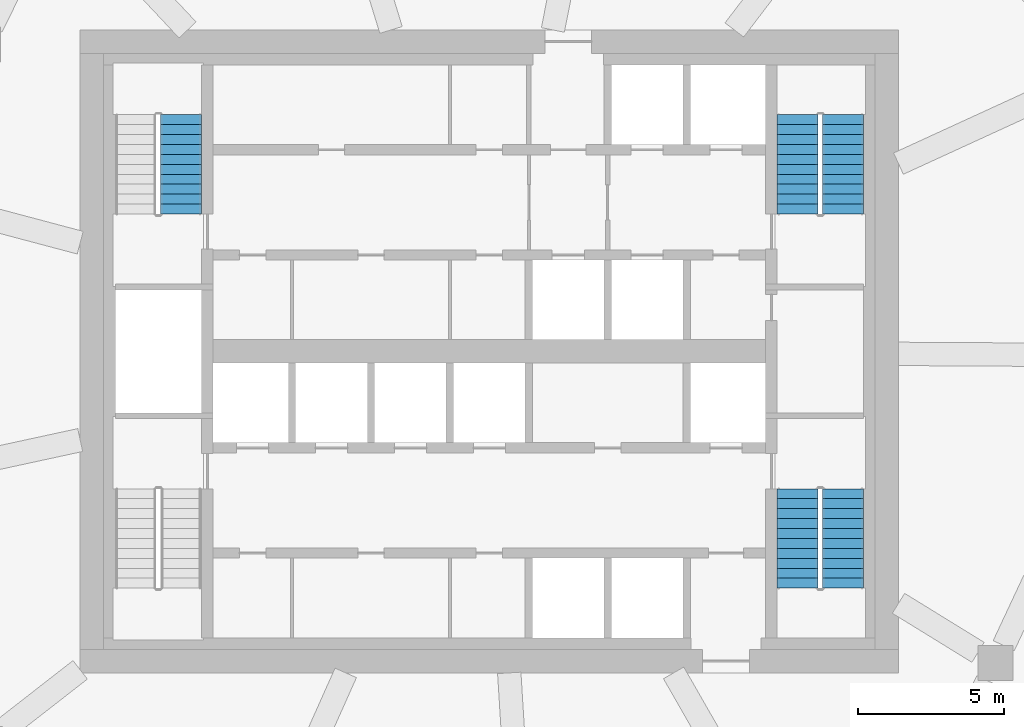
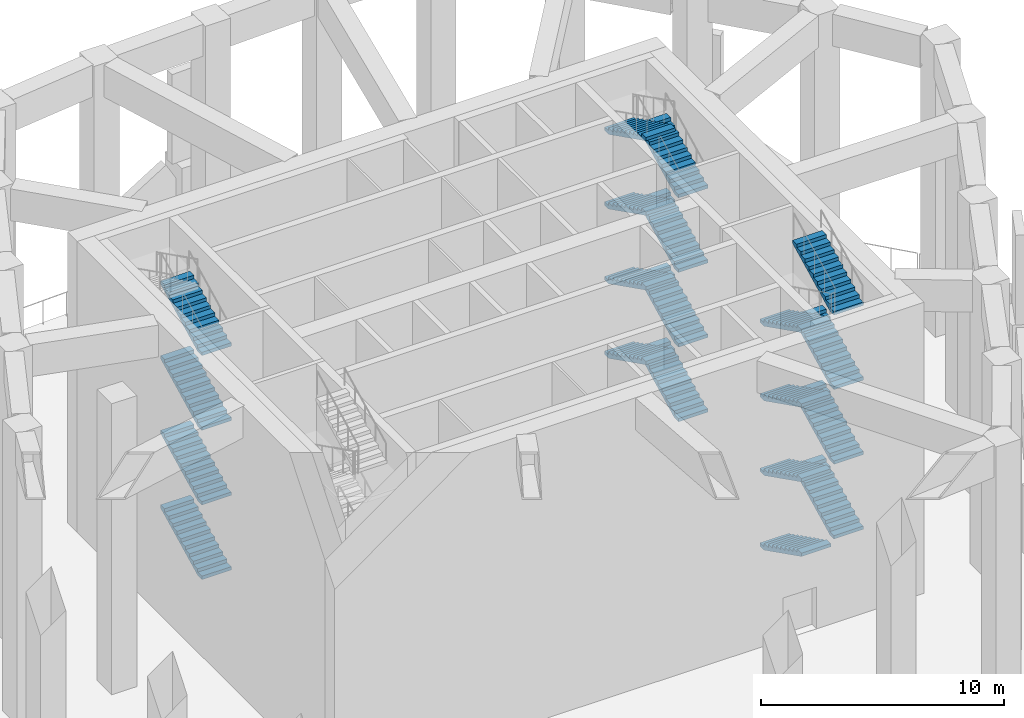
# One storey, part 5 of 12: 20 stair flights, 3 elements without a shape of their own.
"""IFC4 building model written with IfcOpenShell, lengths in metres."""

from ifc_helpers import new_model, si_unit, direction, frame, origin, place, context, subcontext, project, spatial, polyline, outline, extrude, material, layer, layer_set, type_object, element, aggregate, save


model = new_model("IFC4")

# Units and contexts
model_context = context("Model", 3, precision=1e-05, world=origin(), true_north=direction((0.0, 1.0)))
body_context = subcontext(model_context, "Body", "Model", "MODEL_VIEW")
ifc_project = project(units=[si_unit("LENGTHUNIT", "METRE"), si_unit("AREAUNIT", "SQUARE_METRE"), si_unit("VOLUMEUNIT", "CUBIC_METRE"), si_unit("PLANEANGLEUNIT", "RADIAN"), si_unit("MASSUNIT", "GRAM", prefix="KILO")], contexts=[model_context])

# Site, building, storey
site_placement = place(None, origin())
site = spatial("IfcSite", under=ifc_project, at=site_placement, CompositionType="ELEMENT")
building_placement = place(site_placement, origin())
building = spatial("IfcBuilding", under=site, at=building_placement, Name="Dongbaek Canopy Tower", CompositionType="ELEMENT")
storey_placement = place(building_placement, frame((0.0, 0.0, 183.800048828125)))
storey = spatial("IfcBuildingStorey", under=building, at=storey_placement, Name="L40", CompositionType="ELEMENT", Elevation=183.800048828125)

# Stair, stair flights
ifc_material_1 = material(Name="Concrete C40/50", Category="concrete")
stair_type = type_object("IfcStairType", Name="Core exit stair", PredefinedType="HALF_TURN_STAIR", material=ifc_material_1)
stair_1_placement = place(storey_placement, origin())
stair_1 = element("IfcStair", 1, at=stair_1_placement, inside=storey, type_object=stair_type, Name="L40 exit stair A", PredefinedType="HALF_TURN_STAIR")
ifc_material_2 = material(Name="Concrete C40/50", Category="concrete")
ifc_layer = layer(ifc_material_2, 0.14990234375)
ifc_layer_set = layer_set([ifc_layer], Name="Core stair flight 150 waist")
stair_flight_type = type_object("IfcStairFlightType", Name="Core stair flight 150 waist", PredefinedType="STRAIGHT", material=ifc_layer_set)
stair_flight_1_placement = place(storey_placement, frame((12.10009765625, 4.699951171875, 0.0), z_axis=(0.0, 0.0, 1.0), x_axis=(0.0, 1.0, 0.0)))
stair_flight_1 = element("IfcStairFlight", 2, at=stair_flight_1_placement, type_object=stair_flight_type, Name="ST-A flight 1", NumberOfRisers=11, NumberOfTreads=10, PredefinedType="STRAIGHT", RiserHeight=0.170454545, TreadLength=0.34, context=body_context, shape_type="SweptSolid", body=[
    extrude(outline(polyline([(0.0, 0.0), (0.0, 0.17041015625), (0.340087890625, 0.17041015625), (0.340087890625, 0.3408203125), (0.679931640625, 0.3408203125), (0.679931640625, 0.511474609375), (1.02001953125, 0.511474609375), (1.02001953125, 0.681884765625), (1.360107421875, 0.681884765625), (1.360107421875, 0.852294921875), (1.699951171875, 0.852294921875), (1.699951171875, 1.022705078125), (2.0400390625, 1.022705078125), (2.0400390625, 1.193115234375), (2.3798828125, 1.193115234375), (2.3798828125, 1.363525390625), (2.719970703125, 1.363525390625), (2.719970703125, 1.5341796875), (3.06005859375, 1.5341796875), (3.06005859375, 1.70458984375), (3.39990234375, 1.70458984375), (3.39990234375, 1.875), (3.39990234375, 1.536865234375), (0.33447265625, 0.0), (0.0, 0.0)])), frame((0.0, 0.699951171875, 0.0), z_axis=(0.0, -1.0, 0.0), x_axis=(1.0, 0.0, 0.0)), (0.0, 0.0, 1.0), 1.39990234375),
])
stair_flight_2_placement = place(storey_placement, frame((10.550048828125, 8.10009765625, 1.875), z_axis=(0.0, 0.0, 1.0), x_axis=(0.0, -1.0, 0.0)))
stair_flight_2 = element("IfcStairFlight", 3, at=stair_flight_2_placement, type_object=stair_flight_type, Name="ST-A flight 2", NumberOfRisers=11, NumberOfTreads=10, PredefinedType="STRAIGHT", RiserHeight=0.170454545, TreadLength=0.34, context=body_context, shape_type="SweptSolid", body=[
    extrude(outline(polyline([(0.0, 0.0), (0.0, 0.17041015625), (0.340087890625, 0.17041015625), (0.340087890625, 0.3408203125), (0.679931640625, 0.3408203125), (0.679931640625, 0.511474609375), (1.02001953125, 0.511474609375), (1.02001953125, 0.681884765625), (1.360107421875, 0.681884765625), (1.360107421875, 0.852294921875), (1.699951171875, 0.852294921875), (1.699951171875, 1.022705078125), (2.0400390625, 1.022705078125), (2.0400390625, 1.193115234375), (2.3798828125, 1.193115234375), (2.3798828125, 1.363525390625), (2.719970703125, 1.363525390625), (2.719970703125, 1.5341796875), (3.06005859375, 1.5341796875), (3.06005859375, 1.70458984375), (3.39990234375, 1.70458984375), (3.39990234375, 1.875), (3.39990234375, 1.536865234375), (0.33447265625, 0.0), (0.0, 0.0)])), frame((0.0, 0.699951171875, 0.0), z_axis=(0.0, -1.0, 0.0), x_axis=(1.0, 0.0, 0.0)), (0.0, 0.0, 1.0), 1.39990234375),
])
stair_flight_3_placement = place(storey_placement, frame((12.10009765625, 4.699951171875, 3.75), z_axis=(0.0, 0.0, 1.0), x_axis=(0.0, 1.0, 0.0)))
stair_flight_3 = element("IfcStairFlight", 4, at=stair_flight_3_placement, type_object=stair_flight_type, Name="ST-A flight 3", NumberOfRisers=11, NumberOfTreads=10, PredefinedType="STRAIGHT", RiserHeight=0.170454545, TreadLength=0.34, context=body_context, shape_type="SweptSolid", body=[
    extrude(outline(polyline([(0.0, 0.0), (0.0, 0.17041015625), (0.340087890625, 0.17041015625), (0.340087890625, 0.3408203125), (0.679931640625, 0.3408203125), (0.679931640625, 0.511474609375), (1.02001953125, 0.511474609375), (1.02001953125, 0.681884765625), (1.360107421875, 0.681884765625), (1.360107421875, 0.852294921875), (1.699951171875, 0.852294921875), (1.699951171875, 1.022705078125), (2.0400390625, 1.022705078125), (2.0400390625, 1.193115234375), (2.3798828125, 1.193115234375), (2.3798828125, 1.363525390625), (2.719970703125, 1.363525390625), (2.719970703125, 1.5341796875), (3.06005859375, 1.5341796875), (3.06005859375, 1.70458984375), (3.39990234375, 1.70458984375), (3.39990234375, 1.875), (3.39990234375, 1.536865234375), (0.33447265625, 0.0), (0.0, 0.0)])), frame((0.0, 0.699951171875, 0.0), z_axis=(0.0, -1.0, 0.0), x_axis=(1.0, 0.0, 0.0)), (0.0, 0.0, 1.0), 1.39990234375),
])
stair_flight_4_placement = place(storey_placement, frame((10.550048828125, 8.10009765625, 5.625), z_axis=(0.0, 0.0, 1.0), x_axis=(0.0, -1.0, 0.0)))
stair_flight_4 = element("IfcStairFlight", 5, at=stair_flight_4_placement, type_object=stair_flight_type, Name="ST-A flight 4", NumberOfRisers=11, NumberOfTreads=10, PredefinedType="STRAIGHT", RiserHeight=0.170454545, TreadLength=0.34, context=body_context, shape_type="SweptSolid", body=[
    extrude(outline(polyline([(0.0, 0.0), (0.0, 0.17041015625), (0.340087890625, 0.17041015625), (0.340087890625, 0.3408203125), (0.679931640625, 0.3408203125), (0.679931640625, 0.511474609375), (1.02001953125, 0.511474609375), (1.02001953125, 0.681884765625), (1.360107421875, 0.681884765625), (1.360107421875, 0.852294921875), (1.699951171875, 0.852294921875), (1.699951171875, 1.022705078125), (2.0400390625, 1.022705078125), (2.0400390625, 1.193115234375), (2.3798828125, 1.193115234375), (2.3798828125, 1.363525390625), (2.719970703125, 1.363525390625), (2.719970703125, 1.5341796875), (3.06005859375, 1.5341796875), (3.06005859375, 1.70458984375), (3.39990234375, 1.70458984375), (3.39990234375, 1.875), (3.39990234375, 1.536865234375), (0.33447265625, 0.0), (0.0, 0.0)])), frame((0.0, 0.699951171875, 0.0), z_axis=(0.0, -1.0, 0.0), x_axis=(1.0, 0.0, 0.0)), (0.0, 0.0, 1.0), 1.39990234375),
])
stair_flight_5_placement = place(storey_placement, frame((12.10009765625, 4.699951171875, 7.5), z_axis=(0.0, 0.0, 1.0), x_axis=(0.0, 1.0, 0.0)))
stair_flight_5 = element("IfcStairFlight", 6, at=stair_flight_5_placement, type_object=stair_flight_type, Name="ST-A flight 5", NumberOfRisers=11, NumberOfTreads=10, PredefinedType="STRAIGHT", RiserHeight=0.170454545, TreadLength=0.34, context=body_context, shape_type="SweptSolid", body=[
    extrude(outline(polyline([(0.0, 0.0), (0.0, 0.17041015625), (0.340087890625, 0.17041015625), (0.340087890625, 0.3408203125), (0.679931640625, 0.3408203125), (0.679931640625, 0.511474609375), (1.02001953125, 0.511474609375), (1.02001953125, 0.681884765625), (1.360107421875, 0.681884765625), (1.360107421875, 0.852294921875), (1.699951171875, 0.852294921875), (1.699951171875, 1.022705078125), (2.0400390625, 1.022705078125), (2.0400390625, 1.193115234375), (2.3798828125, 1.193115234375), (2.3798828125, 1.363525390625), (2.719970703125, 1.363525390625), (2.719970703125, 1.5341796875), (3.06005859375, 1.5341796875), (3.06005859375, 1.70458984375), (3.39990234375, 1.70458984375), (3.39990234375, 1.875), (3.39990234375, 1.536865234375), (0.33447265625, 0.0), (0.0, 0.0)])), frame((0.0, 0.699951171875, 0.0), z_axis=(0.0, -1.0, 0.0), x_axis=(1.0, 0.0, 0.0)), (0.0, 0.0, 1.0), 1.39990234375),
])
stair_flight_6_placement = place(storey_placement, frame((10.550048828125, 8.10009765625, 9.375), z_axis=(0.0, 0.0, 1.0), x_axis=(0.0, -1.0, 0.0)))
stair_flight_6 = element("IfcStairFlight", 7, at=stair_flight_6_placement, type_object=stair_flight_type, Name="ST-A flight 6", NumberOfRisers=11, NumberOfTreads=10, PredefinedType="STRAIGHT", RiserHeight=0.170454545, TreadLength=0.34, context=body_context, shape_type="SweptSolid", body=[
    extrude(outline(polyline([(0.0, 0.0), (0.0, 0.17041015625), (0.340087890625, 0.17041015625), (0.340087890625, 0.3408203125), (0.679931640625, 0.3408203125), (0.679931640625, 0.511474609375), (1.02001953125, 0.511474609375), (1.02001953125, 0.681884765625), (1.360107421875, 0.681884765625), (1.360107421875, 0.852294921875), (1.699951171875, 0.852294921875), (1.699951171875, 1.022705078125), (2.0400390625, 1.022705078125), (2.0400390625, 1.193115234375), (2.3798828125, 1.193115234375), (2.3798828125, 1.363525390625), (2.719970703125, 1.363525390625), (2.719970703125, 1.5341796875), (3.06005859375, 1.5341796875), (3.06005859375, 1.70458984375), (3.39990234375, 1.70458984375), (3.39990234375, 1.875), (3.39990234375, 1.536865234375), (0.33447265625, 0.0), (0.0, 0.0)])), frame((0.0, 0.699951171875, 0.0), z_axis=(0.0, -1.0, 0.0), x_axis=(1.0, 0.0, 0.0)), (0.0, 0.0, 1.0), 1.39990234375),
])
stair_flight_7_placement = place(storey_placement, frame((12.10009765625, 4.699951171875, 11.25), z_axis=(0.0, 0.0, 1.0), x_axis=(0.0, 1.0, 0.0)))
stair_flight_7 = element("IfcStairFlight", 8, at=stair_flight_7_placement, type_object=stair_flight_type, Name="ST-A flight 7", NumberOfRisers=11, NumberOfTreads=10, PredefinedType="STRAIGHT", RiserHeight=0.170454545, TreadLength=0.34, context=body_context, shape_type="SweptSolid", body=[
    extrude(outline(polyline([(0.0, 0.0), (0.0, 0.17041015625), (0.340087890625, 0.17041015625), (0.340087890625, 0.3408203125), (0.679931640625, 0.3408203125), (0.679931640625, 0.511474609375), (1.02001953125, 0.511474609375), (1.02001953125, 0.681884765625), (1.360107421875, 0.681884765625), (1.360107421875, 0.852294921875), (1.699951171875, 0.852294921875), (1.699951171875, 1.022705078125), (2.0400390625, 1.022705078125), (2.0400390625, 1.193115234375), (2.3798828125, 1.193115234375), (2.3798828125, 1.363525390625), (2.719970703125, 1.363525390625), (2.719970703125, 1.5341796875), (3.06005859375, 1.5341796875), (3.06005859375, 1.70458984375), (3.39990234375, 1.70458984375), (3.39990234375, 1.875), (3.39990234375, 1.536865234375), (0.33447265625, 0.0), (0.0, 0.0)])), frame((0.0, 0.699951171875, 0.0), z_axis=(0.0, -1.0, 0.0), x_axis=(1.0, 0.0, 0.0)), (0.0, 0.0, 1.0), 1.39990234375),
])
stair_flight_8_placement = place(storey_placement, frame((10.550048828125, 8.10009765625, 13.125), z_axis=(0.0, 0.0, 1.0), x_axis=(0.0, -1.0, 0.0)))
stair_flight_8 = element("IfcStairFlight", 9, at=stair_flight_8_placement, type_object=stair_flight_type, Name="ST-A flight 8", NumberOfRisers=11, NumberOfTreads=10, PredefinedType="STRAIGHT", RiserHeight=0.170454545, TreadLength=0.34, context=body_context, shape_type="SweptSolid", body=[
    extrude(outline(polyline([(0.0, 0.0), (0.0, 0.17041015625), (0.340087890625, 0.17041015625), (0.340087890625, 0.3408203125), (0.679931640625, 0.3408203125), (0.679931640625, 0.511474609375), (1.02001953125, 0.511474609375), (1.02001953125, 0.681884765625), (1.360107421875, 0.681884765625), (1.360107421875, 0.852294921875), (1.699951171875, 0.852294921875), (1.699951171875, 1.022705078125), (2.0400390625, 1.022705078125), (2.0400390625, 1.193115234375), (2.3798828125, 1.193115234375), (2.3798828125, 1.363525390625), (2.719970703125, 1.363525390625), (2.719970703125, 1.5341796875), (3.06005859375, 1.5341796875), (3.06005859375, 1.70458984375), (3.39990234375, 1.70458984375), (3.39990234375, 1.875), (3.39990234375, 1.536865234375), (0.33447265625, 0.0), (0.0, 0.0)])), frame((0.0, 0.699951171875, 0.0), z_axis=(0.0, -1.0, 0.0), x_axis=(1.0, 0.0, 0.0)), (0.0, 0.0, 1.0), 1.39990234375),
])
aggregate(stair_1, [stair_flight_1, stair_flight_2, stair_flight_3, stair_flight_4, stair_flight_5, stair_flight_6, stair_flight_7, stair_flight_8])

stair_2_placement = place(storey_placement, origin())
stair_2 = element("IfcStair", 10, at=stair_2_placement, inside=storey, type_object=stair_type, Name="L40 exit stair C", PredefinedType="HALF_TURN_STAIR")
stair_flight_9_placement = place(storey_placement, frame((-10.550048828125, 4.699951171875, 0.0), z_axis=(0.0, 0.0, 1.0), x_axis=(0.0, 1.0, 0.0)))
stair_flight_9 = element("IfcStairFlight", 11, at=stair_flight_9_placement, type_object=stair_flight_type, Name="ST-C flight 1", NumberOfRisers=11, NumberOfTreads=10, PredefinedType="STRAIGHT", RiserHeight=0.170454545, TreadLength=0.34, context=body_context, shape_type="SweptSolid", body=[
    extrude(outline(polyline([(0.0, 0.0), (0.0, 0.17041015625), (0.340087890625, 0.17041015625), (0.340087890625, 0.3408203125), (0.679931640625, 0.3408203125), (0.679931640625, 0.511474609375), (1.02001953125, 0.511474609375), (1.02001953125, 0.681884765625), (1.360107421875, 0.681884765625), (1.360107421875, 0.852294921875), (1.699951171875, 0.852294921875), (1.699951171875, 1.022705078125), (2.0400390625, 1.022705078125), (2.0400390625, 1.193115234375), (2.3798828125, 1.193115234375), (2.3798828125, 1.363525390625), (2.719970703125, 1.363525390625), (2.719970703125, 1.5341796875), (3.06005859375, 1.5341796875), (3.06005859375, 1.70458984375), (3.39990234375, 1.70458984375), (3.39990234375, 1.875), (3.39990234375, 1.536865234375), (0.33447265625, 0.0), (0.0, 0.0)])), frame((0.0, 0.699951171875, 0.0), z_axis=(0.0, -1.0, 0.0), x_axis=(1.0, 0.0, 0.0)), (0.0, 0.0, 1.0), 1.39990234375),
])
stair_flight_10_placement = place(storey_placement, frame((-10.550048828125, 4.699951171875, 3.75), z_axis=(0.0, 0.0, 1.0), x_axis=(0.0, 1.0, 0.0)))
stair_flight_10 = element("IfcStairFlight", 12, at=stair_flight_10_placement, type_object=stair_flight_type, Name="ST-C flight 3", NumberOfRisers=11, NumberOfTreads=10, PredefinedType="STRAIGHT", RiserHeight=0.170454545, TreadLength=0.34, context=body_context, shape_type="SweptSolid", body=[
    extrude(outline(polyline([(0.0, 0.0), (0.0, 0.17041015625), (0.340087890625, 0.17041015625), (0.340087890625, 0.3408203125), (0.679931640625, 0.3408203125), (0.679931640625, 0.511474609375), (1.02001953125, 0.511474609375), (1.02001953125, 0.681884765625), (1.360107421875, 0.681884765625), (1.360107421875, 0.852294921875), (1.699951171875, 0.852294921875), (1.699951171875, 1.022705078125), (2.0400390625, 1.022705078125), (2.0400390625, 1.193115234375), (2.3798828125, 1.193115234375), (2.3798828125, 1.363525390625), (2.719970703125, 1.363525390625), (2.719970703125, 1.5341796875), (3.06005859375, 1.5341796875), (3.06005859375, 1.70458984375), (3.39990234375, 1.70458984375), (3.39990234375, 1.875), (3.39990234375, 1.536865234375), (0.33447265625, 0.0), (0.0, 0.0)])), frame((0.0, 0.699951171875, 0.0), z_axis=(0.0, -1.0, 0.0), x_axis=(1.0, 0.0, 0.0)), (0.0, 0.0, 1.0), 1.39990234375),
])
stair_flight_11_placement = place(storey_placement, frame((-10.550048828125, 4.699951171875, 7.5), z_axis=(0.0, 0.0, 1.0), x_axis=(0.0, 1.0, 0.0)))
stair_flight_11 = element("IfcStairFlight", 13, at=stair_flight_11_placement, type_object=stair_flight_type, Name="ST-C flight 5", NumberOfRisers=11, NumberOfTreads=10, PredefinedType="STRAIGHT", RiserHeight=0.170454545, TreadLength=0.34, context=body_context, shape_type="SweptSolid", body=[
    extrude(outline(polyline([(0.0, 0.0), (0.0, 0.17041015625), (0.340087890625, 0.17041015625), (0.340087890625, 0.3408203125), (0.679931640625, 0.3408203125), (0.679931640625, 0.511474609375), (1.02001953125, 0.511474609375), (1.02001953125, 0.681884765625), (1.360107421875, 0.681884765625), (1.360107421875, 0.852294921875), (1.699951171875, 0.852294921875), (1.699951171875, 1.022705078125), (2.0400390625, 1.022705078125), (2.0400390625, 1.193115234375), (2.3798828125, 1.193115234375), (2.3798828125, 1.363525390625), (2.719970703125, 1.363525390625), (2.719970703125, 1.5341796875), (3.06005859375, 1.5341796875), (3.06005859375, 1.70458984375), (3.39990234375, 1.70458984375), (3.39990234375, 1.875), (3.39990234375, 1.536865234375), (0.33447265625, 0.0), (0.0, 0.0)])), frame((0.0, 0.699951171875, 0.0), z_axis=(0.0, -1.0, 0.0), x_axis=(1.0, 0.0, 0.0)), (0.0, 0.0, 1.0), 1.39990234375),
])
stair_flight_12_placement = place(storey_placement, frame((-10.550048828125, 4.699951171875, 11.25), z_axis=(0.0, 0.0, 1.0), x_axis=(0.0, 1.0, 0.0)))
stair_flight_12 = element("IfcStairFlight", 14, at=stair_flight_12_placement, type_object=stair_flight_type, Name="ST-C flight 7", NumberOfRisers=11, NumberOfTreads=10, PredefinedType="STRAIGHT", RiserHeight=0.170454545, TreadLength=0.34, context=body_context, shape_type="SweptSolid", body=[
    extrude(outline(polyline([(0.0, 0.0), (0.0, 0.17041015625), (0.340087890625, 0.17041015625), (0.340087890625, 0.3408203125), (0.679931640625, 0.3408203125), (0.679931640625, 0.511474609375), (1.02001953125, 0.511474609375), (1.02001953125, 0.681884765625), (1.360107421875, 0.681884765625), (1.360107421875, 0.852294921875), (1.699951171875, 0.852294921875), (1.699951171875, 1.022705078125), (2.0400390625, 1.022705078125), (2.0400390625, 1.193115234375), (2.3798828125, 1.193115234375), (2.3798828125, 1.363525390625), (2.719970703125, 1.363525390625), (2.719970703125, 1.5341796875), (3.06005859375, 1.5341796875), (3.06005859375, 1.70458984375), (3.39990234375, 1.70458984375), (3.39990234375, 1.875), (3.39990234375, 1.536865234375), (0.33447265625, 0.0), (0.0, 0.0)])), frame((0.0, 0.699951171875, 0.0), z_axis=(0.0, -1.0, 0.0), x_axis=(1.0, 0.0, 0.0)), (0.0, 0.0, 1.0), 1.39990234375),
])
aggregate(stair_2, [stair_flight_9, stair_flight_10, stair_flight_11, stair_flight_12])

stair_3_placement = place(storey_placement, origin())
stair_3 = element("IfcStair", 15, at=stair_3_placement, inside=storey, type_object=stair_type, Name="L40 exit stair B", PredefinedType="HALF_TURN_STAIR")
stair_flight_13_placement = place(storey_placement, frame((10.550048828125, -4.699951171875, 0.0), z_axis=(0.0, 0.0, 1.0), x_axis=(0.0, -1.0, 0.0)))
stair_flight_13 = element("IfcStairFlight", 16, at=stair_flight_13_placement, type_object=stair_flight_type, Name="ST-B flight 1", NumberOfRisers=11, NumberOfTreads=10, PredefinedType="STRAIGHT", RiserHeight=0.170454545, TreadLength=0.34, context=body_context, shape_type="SweptSolid", body=[
    extrude(outline(polyline([(0.0, 0.0), (0.0, 0.17041015625), (0.340087890625, 0.17041015625), (0.340087890625, 0.3408203125), (0.679931640625, 0.3408203125), (0.679931640625, 0.511474609375), (1.02001953125, 0.511474609375), (1.02001953125, 0.681884765625), (1.360107421875, 0.681884765625), (1.360107421875, 0.852294921875), (1.699951171875, 0.852294921875), (1.699951171875, 1.022705078125), (2.0400390625, 1.022705078125), (2.0400390625, 1.193115234375), (2.3798828125, 1.193115234375), (2.3798828125, 1.363525390625), (2.719970703125, 1.363525390625), (2.719970703125, 1.5341796875), (3.06005859375, 1.5341796875), (3.06005859375, 1.70458984375), (3.39990234375, 1.70458984375), (3.39990234375, 1.875), (3.39990234375, 1.536865234375), (0.33447265625, 0.0), (0.0, 0.0)])), frame((0.0, 0.699951171875, 0.0), z_axis=(0.0, -1.0, 0.0), x_axis=(1.0, 0.0, 0.0)), (0.0, 0.0, 1.0), 1.39990234375),
])
stair_flight_14_placement = place(storey_placement, frame((12.10009765625, -8.10009765625, 1.875), z_axis=(0.0, 0.0, 1.0), x_axis=(0.0, 1.0, 0.0)))
stair_flight_14 = element("IfcStairFlight", 17, at=stair_flight_14_placement, type_object=stair_flight_type, Name="ST-B flight 2", NumberOfRisers=11, NumberOfTreads=10, PredefinedType="STRAIGHT", RiserHeight=0.170454545, TreadLength=0.34, context=body_context, shape_type="SweptSolid", body=[
    extrude(outline(polyline([(0.0, 0.0), (0.0, 0.17041015625), (0.340087890625, 0.17041015625), (0.340087890625, 0.3408203125), (0.679931640625, 0.3408203125), (0.679931640625, 0.511474609375), (1.02001953125, 0.511474609375), (1.02001953125, 0.681884765625), (1.360107421875, 0.681884765625), (1.360107421875, 0.852294921875), (1.699951171875, 0.852294921875), (1.699951171875, 1.022705078125), (2.0400390625, 1.022705078125), (2.0400390625, 1.193115234375), (2.3798828125, 1.193115234375), (2.3798828125, 1.363525390625), (2.719970703125, 1.363525390625), (2.719970703125, 1.5341796875), (3.06005859375, 1.5341796875), (3.06005859375, 1.70458984375), (3.39990234375, 1.70458984375), (3.39990234375, 1.875), (3.39990234375, 1.536865234375), (0.33447265625, 0.0), (0.0, 0.0)])), frame((0.0, 0.699951171875, 0.0), z_axis=(0.0, -1.0, 0.0), x_axis=(1.0, 0.0, 0.0)), (0.0, 0.0, 1.0), 1.39990234375),
])
stair_flight_15_placement = place(storey_placement, frame((10.550048828125, -4.699951171875, 3.75), z_axis=(0.0, 0.0, 1.0), x_axis=(0.0, -1.0, 0.0)))
stair_flight_15 = element("IfcStairFlight", 18, at=stair_flight_15_placement, type_object=stair_flight_type, Name="ST-B flight 3", NumberOfRisers=11, NumberOfTreads=10, PredefinedType="STRAIGHT", RiserHeight=0.170454545, TreadLength=0.34, context=body_context, shape_type="SweptSolid", body=[
    extrude(outline(polyline([(0.0, 0.0), (0.0, 0.17041015625), (0.340087890625, 0.17041015625), (0.340087890625, 0.3408203125), (0.679931640625, 0.3408203125), (0.679931640625, 0.511474609375), (1.02001953125, 0.511474609375), (1.02001953125, 0.681884765625), (1.360107421875, 0.681884765625), (1.360107421875, 0.852294921875), (1.699951171875, 0.852294921875), (1.699951171875, 1.022705078125), (2.0400390625, 1.022705078125), (2.0400390625, 1.193115234375), (2.3798828125, 1.193115234375), (2.3798828125, 1.363525390625), (2.719970703125, 1.363525390625), (2.719970703125, 1.5341796875), (3.06005859375, 1.5341796875), (3.06005859375, 1.70458984375), (3.39990234375, 1.70458984375), (3.39990234375, 1.875), (3.39990234375, 1.536865234375), (0.33447265625, 0.0), (0.0, 0.0)])), frame((0.0, 0.699951171875, 0.0), z_axis=(0.0, -1.0, 0.0), x_axis=(1.0, 0.0, 0.0)), (0.0, 0.0, 1.0), 1.39990234375),
])
stair_flight_16_placement = place(storey_placement, frame((12.10009765625, -8.10009765625, 5.625), z_axis=(0.0, 0.0, 1.0), x_axis=(0.0, 1.0, 0.0)))
stair_flight_16 = element("IfcStairFlight", 19, at=stair_flight_16_placement, type_object=stair_flight_type, Name="ST-B flight 4", NumberOfRisers=11, NumberOfTreads=10, PredefinedType="STRAIGHT", RiserHeight=0.170454545, TreadLength=0.34, context=body_context, shape_type="SweptSolid", body=[
    extrude(outline(polyline([(0.0, 0.0), (0.0, 0.17041015625), (0.340087890625, 0.17041015625), (0.340087890625, 0.3408203125), (0.679931640625, 0.3408203125), (0.679931640625, 0.511474609375), (1.02001953125, 0.511474609375), (1.02001953125, 0.681884765625), (1.360107421875, 0.681884765625), (1.360107421875, 0.852294921875), (1.699951171875, 0.852294921875), (1.699951171875, 1.022705078125), (2.0400390625, 1.022705078125), (2.0400390625, 1.193115234375), (2.3798828125, 1.193115234375), (2.3798828125, 1.363525390625), (2.719970703125, 1.363525390625), (2.719970703125, 1.5341796875), (3.06005859375, 1.5341796875), (3.06005859375, 1.70458984375), (3.39990234375, 1.70458984375), (3.39990234375, 1.875), (3.39990234375, 1.536865234375), (0.33447265625, 0.0), (0.0, 0.0)])), frame((0.0, 0.699951171875, 0.0), z_axis=(0.0, -1.0, 0.0), x_axis=(1.0, 0.0, 0.0)), (0.0, 0.0, 1.0), 1.39990234375),
])
stair_flight_17_placement = place(storey_placement, frame((10.550048828125, -4.699951171875, 7.5), z_axis=(0.0, 0.0, 1.0), x_axis=(0.0, -1.0, 0.0)))
stair_flight_17 = element("IfcStairFlight", 20, at=stair_flight_17_placement, type_object=stair_flight_type, Name="ST-B flight 5", NumberOfRisers=11, NumberOfTreads=10, PredefinedType="STRAIGHT", RiserHeight=0.170454545, TreadLength=0.34, context=body_context, shape_type="SweptSolid", body=[
    extrude(outline(polyline([(0.0, 0.0), (0.0, 0.17041015625), (0.340087890625, 0.17041015625), (0.340087890625, 0.3408203125), (0.679931640625, 0.3408203125), (0.679931640625, 0.511474609375), (1.02001953125, 0.511474609375), (1.02001953125, 0.681884765625), (1.360107421875, 0.681884765625), (1.360107421875, 0.852294921875), (1.699951171875, 0.852294921875), (1.699951171875, 1.022705078125), (2.0400390625, 1.022705078125), (2.0400390625, 1.193115234375), (2.3798828125, 1.193115234375), (2.3798828125, 1.363525390625), (2.719970703125, 1.363525390625), (2.719970703125, 1.5341796875), (3.06005859375, 1.5341796875), (3.06005859375, 1.70458984375), (3.39990234375, 1.70458984375), (3.39990234375, 1.875), (3.39990234375, 1.536865234375), (0.33447265625, 0.0), (0.0, 0.0)])), frame((0.0, 0.699951171875, 0.0), z_axis=(0.0, -1.0, 0.0), x_axis=(1.0, 0.0, 0.0)), (0.0, 0.0, 1.0), 1.39990234375),
])
stair_flight_18_placement = place(storey_placement, frame((12.10009765625, -8.10009765625, 9.375), z_axis=(0.0, 0.0, 1.0), x_axis=(0.0, 1.0, 0.0)))
stair_flight_18 = element("IfcStairFlight", 21, at=stair_flight_18_placement, type_object=stair_flight_type, Name="ST-B flight 6", NumberOfRisers=11, NumberOfTreads=10, PredefinedType="STRAIGHT", RiserHeight=0.170454545, TreadLength=0.34, context=body_context, shape_type="SweptSolid", body=[
    extrude(outline(polyline([(0.0, 0.0), (0.0, 0.17041015625), (0.340087890625, 0.17041015625), (0.340087890625, 0.3408203125), (0.679931640625, 0.3408203125), (0.679931640625, 0.511474609375), (1.02001953125, 0.511474609375), (1.02001953125, 0.681884765625), (1.360107421875, 0.681884765625), (1.360107421875, 0.852294921875), (1.699951171875, 0.852294921875), (1.699951171875, 1.022705078125), (2.0400390625, 1.022705078125), (2.0400390625, 1.193115234375), (2.3798828125, 1.193115234375), (2.3798828125, 1.363525390625), (2.719970703125, 1.363525390625), (2.719970703125, 1.5341796875), (3.06005859375, 1.5341796875), (3.06005859375, 1.70458984375), (3.39990234375, 1.70458984375), (3.39990234375, 1.875), (3.39990234375, 1.536865234375), (0.33447265625, 0.0), (0.0, 0.0)])), frame((0.0, 0.699951171875, 0.0), z_axis=(0.0, -1.0, 0.0), x_axis=(1.0, 0.0, 0.0)), (0.0, 0.0, 1.0), 1.39990234375),
])
stair_flight_19_placement = place(storey_placement, frame((10.550048828125, -4.699951171875, 11.25), z_axis=(0.0, 0.0, 1.0), x_axis=(0.0, -1.0, 0.0)))
stair_flight_19 = element("IfcStairFlight", 22, at=stair_flight_19_placement, type_object=stair_flight_type, Name="ST-B flight 7", NumberOfRisers=11, NumberOfTreads=10, PredefinedType="STRAIGHT", RiserHeight=0.170454545, TreadLength=0.34, context=body_context, shape_type="SweptSolid", body=[
    extrude(outline(polyline([(0.0, 0.0), (0.0, 0.17041015625), (0.340087890625, 0.17041015625), (0.340087890625, 0.3408203125), (0.679931640625, 0.3408203125), (0.679931640625, 0.511474609375), (1.02001953125, 0.511474609375), (1.02001953125, 0.681884765625), (1.360107421875, 0.681884765625), (1.360107421875, 0.852294921875), (1.699951171875, 0.852294921875), (1.699951171875, 1.022705078125), (2.0400390625, 1.022705078125), (2.0400390625, 1.193115234375), (2.3798828125, 1.193115234375), (2.3798828125, 1.363525390625), (2.719970703125, 1.363525390625), (2.719970703125, 1.5341796875), (3.06005859375, 1.5341796875), (3.06005859375, 1.70458984375), (3.39990234375, 1.70458984375), (3.39990234375, 1.875), (3.39990234375, 1.536865234375), (0.33447265625, 0.0), (0.0, 0.0)])), frame((0.0, 0.699951171875, 0.0), z_axis=(0.0, -1.0, 0.0), x_axis=(1.0, 0.0, 0.0)), (0.0, 0.0, 1.0), 1.39990234375),
])
stair_flight_20_placement = place(storey_placement, frame((12.10009765625, -8.10009765625, 13.125), z_axis=(0.0, 0.0, 1.0), x_axis=(0.0, 1.0, 0.0)))
stair_flight_20 = element("IfcStairFlight", 23, at=stair_flight_20_placement, type_object=stair_flight_type, Name="ST-B flight 8", NumberOfRisers=11, NumberOfTreads=10, PredefinedType="STRAIGHT", RiserHeight=0.170454545, TreadLength=0.34, context=body_context, shape_type="SweptSolid", body=[
    extrude(outline(polyline([(0.0, 0.0), (0.0, 0.17041015625), (0.340087890625, 0.17041015625), (0.340087890625, 0.3408203125), (0.679931640625, 0.3408203125), (0.679931640625, 0.511474609375), (1.02001953125, 0.511474609375), (1.02001953125, 0.681884765625), (1.360107421875, 0.681884765625), (1.360107421875, 0.852294921875), (1.699951171875, 0.852294921875), (1.699951171875, 1.022705078125), (2.0400390625, 1.022705078125), (2.0400390625, 1.193115234375), (2.3798828125, 1.193115234375), (2.3798828125, 1.363525390625), (2.719970703125, 1.363525390625), (2.719970703125, 1.5341796875), (3.06005859375, 1.5341796875), (3.06005859375, 1.70458984375), (3.39990234375, 1.70458984375), (3.39990234375, 1.875), (3.39990234375, 1.536865234375), (0.33447265625, 0.0), (0.0, 0.0)])), frame((0.0, 0.699951171875, 0.0), z_axis=(0.0, -1.0, 0.0), x_axis=(1.0, 0.0, 0.0)), (0.0, 0.0, 1.0), 1.39990234375),
])
aggregate(stair_3, [stair_flight_13, stair_flight_14, stair_flight_15, stair_flight_16, stair_flight_17, stair_flight_18, stair_flight_19, stair_flight_20])

save(model, "model.ifc")
